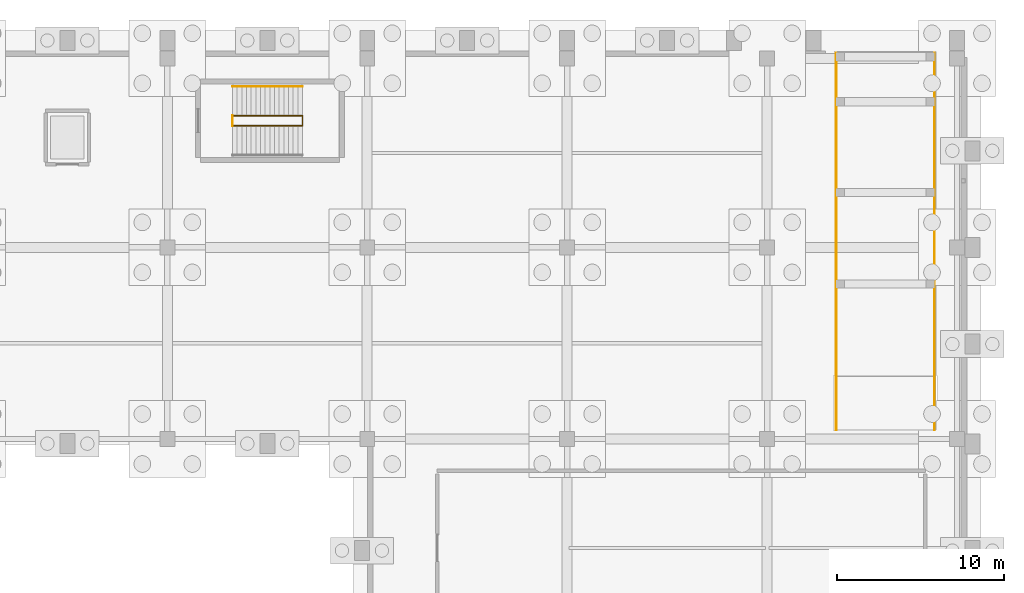
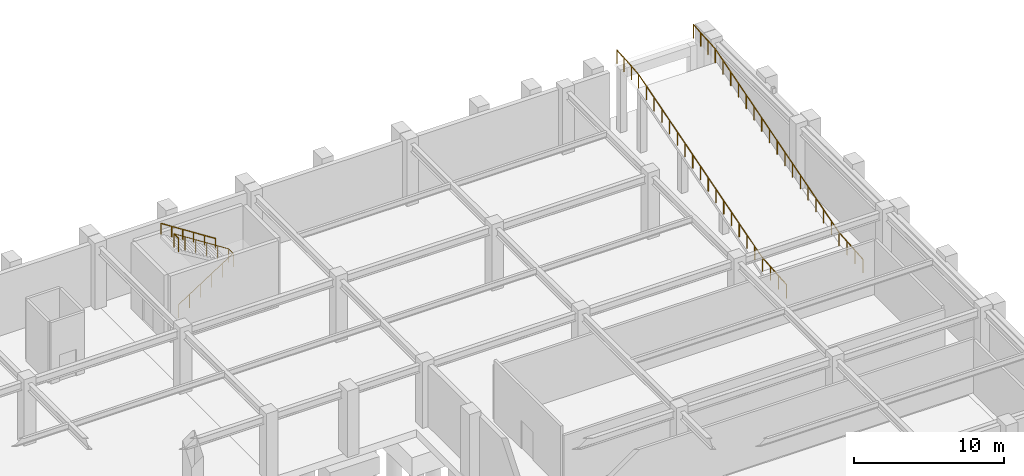
# One storey, part 25 of 27: 5 railings.
"""IFC4 building model written with IfcOpenShell, lengths in metres."""

from ifc_helpers import new_model, si_unit, derived_unit, direction, frame, origin, origin_2d, place, context, subcontext, project, spatial, circle, extrude, material, type_object, element, save


model = new_model("IFC4")

# Units and contexts
model_context = context("Model", 3, precision=1e-05, world=origin(), true_north=direction((0.0, 1.0)))
body_context = subcontext(model_context, "Body", "Model", "MODEL_VIEW")
ifc_project = project(units=[si_unit("LENGTHUNIT", "METRE"), si_unit("AREAUNIT", "SQUARE_METRE"), si_unit("VOLUMEUNIT", "CUBIC_METRE"), si_unit("PLANEANGLEUNIT", "RADIAN"), si_unit("MASSUNIT", "GRAM", prefix="KILO"), derived_unit("THERMALTRANSMITTANCEUNIT", [(si_unit("MASSUNIT", "GRAM", prefix="KILO"), 1), (si_unit("TIMEUNIT", "SECOND"), -3), (si_unit("THERMODYNAMICTEMPERATUREUNIT", "KELVIN"), -1)])], contexts=[model_context])

# Site, building, storey
site_placement = place(None, origin())
site = spatial("IfcSite", under=ifc_project, at=site_placement, CompositionType="ELEMENT")
building_placement = place(site_placement, origin())
building = spatial("IfcBuilding", under=site, at=building_placement, Name="Valcora Ridge Arena", CompositionType="ELEMENT")
storey_placement = place(building_placement, frame((0.0, 0.0, -5.39990234375)))
storey = spatial("IfcBuildingStorey", under=building, at=storey_placement, Name="B1", CompositionType="ELEMENT", Elevation=-5.39990234375)

# Railings
ifc_material = material(Name="Galvanized painted steel ASTM A500 Grade B", Category="steel")
railing_type_1 = type_object("IfcRailingType", Name="TY-RAILING-GRD-RAMP-1120", PredefinedType="GUARDRAIL", material=ifc_material)
railing_1_placement = place(storey_placement, frame((184.14990234375, 109.25, 0.0)))
element("IfcRailing", 1, at=railing_1_placement, inside=storey, type_object=railing_type_1, Name="GRD-RAMP-1120 RAL-RG-0001", PredefinedType="GUARDRAIL", context=body_context, shape_type="SweptSolid", body=[
    extrude(circle(Radius=0.02392578125, at=origin_2d()), frame((0.0, 0.0, 1.09619140625), z_axis=(0.0, 0.996962049061, 0.077888848572), x_axis=(-1.0, 0.0, 0.0)), (0.0, 0.0, 1.0), 3.209716796875),
    extrude(circle(Radius=0.02392578125, at=origin_2d()), frame((0.0, 3.199951171875, 1.34619140625), z_axis=(0.0, 0.958623643931, 0.284676499374), x_axis=(-1.0, 0.0, 0.0)), (0.0, 0.0, 1.0), 17.212158203125),
    extrude(circle(Radius=0.02392578125, at=origin_2d()), frame((0.0, 19.699951171875, 6.24609375), z_axis=(0.0, 0.996305140186, 0.085884035992), x_axis=(-1.0, 0.0, 0.0)), (0.0, 0.0, 1.0), 2.910888671875),
    extrude(circle(Radius=0.02099609375, at=origin_2d()), origin(), (0.0, 0.0, 1.0), 1.072021484375),
    extrude(circle(Radius=0.02099609375, at=origin_2d()), frame((0.0, 1.066650390625, 0.083251953125)), (0.0, 0.0, 1.0), 1.072021484375),
    extrude(circle(Radius=0.02099609375, at=origin_2d()), frame((0.0, 2.13330078125, 0.166748046875)), (0.0, 0.0, 1.0), 1.072021484375),
    extrude(circle(Radius=0.02099609375, at=origin_2d()), frame((0.0, 3.199951171875, 0.25)), (0.0, 0.0, 1.0), 1.072021484375),
    extrude(circle(Radius=0.02099609375, at=origin_2d()), frame((0.0, 4.231201171875, 0.55615234375)), (0.0, 0.0, 1.0), 1.072021484375),
    extrude(circle(Radius=0.02099609375, at=origin_2d()), frame((0.0, 5.262451171875, 0.862548828125)), (0.0, 0.0, 1.0), 1.072021484375),
    extrude(circle(Radius=0.02099609375, at=origin_2d()), frame((0.0, 6.293701171875, 1.168701171875)), (0.0, 0.0, 1.0), 1.072021484375),
    extrude(circle(Radius=0.02099609375, at=origin_2d()), frame((0.0, 7.324951171875, 1.47509765625)), (0.0, 0.0, 1.0), 1.072021484375),
    extrude(circle(Radius=0.02099609375, at=origin_2d()), frame((0.0, 8.356201171875, 1.78125)), (0.0, 0.0, 1.0), 1.072021484375),
    extrude(circle(Radius=0.02099609375, at=origin_2d()), frame((0.0, 9.387451171875, 2.08740234375)), (0.0, 0.0, 1.0), 1.072021484375),
    extrude(circle(Radius=0.02099609375, at=origin_2d()), frame((0.0, 10.418701171875, 2.393798828125)), (0.0, 0.0, 1.0), 1.072021484375),
    extrude(circle(Radius=0.02099609375, at=origin_2d()), frame((0.0, 11.449951171875, 2.699951171875)), (0.0, 0.0, 1.0), 1.072021484375),
    extrude(circle(Radius=0.02099609375, at=origin_2d()), frame((0.0, 12.481201171875, 3.006103515625)), (0.0, 0.0, 1.0), 1.072021484375),
    extrude(circle(Radius=0.02099609375, at=origin_2d()), frame((0.0, 13.512451171875, 3.3125)), (0.0, 0.0, 1.0), 1.072021484375),
    extrude(circle(Radius=0.02099609375, at=origin_2d()), frame((0.0, 14.543701171875, 3.61865234375)), (0.0, 0.0, 1.0), 1.072021484375),
    extrude(circle(Radius=0.02099609375, at=origin_2d()), frame((0.0, 15.574951171875, 3.9248046875)), (0.0, 0.0, 1.0), 1.072021484375),
    extrude(circle(Radius=0.02099609375, at=origin_2d()), frame((0.0, 16.606201171875, 4.231201171875)), (0.0, 0.0, 1.0), 1.072021484375),
    extrude(circle(Radius=0.02099609375, at=origin_2d()), frame((0.0, 17.637451171875, 4.537353515625)), (0.0, 0.0, 1.0), 1.072021484375),
    extrude(circle(Radius=0.02099609375, at=origin_2d()), frame((0.0, 18.668701171875, 4.84375)), (0.0, 0.0, 1.0), 1.072021484375),
    extrude(circle(Radius=0.02099609375, at=origin_2d()), frame((0.0, 19.699951171875, 5.14990234375)), (0.0, 0.0, 1.0), 1.072021484375),
    extrude(circle(Radius=0.02099609375, at=origin_2d()), frame((0.0, 20.666748046875, 5.233154296875)), (0.0, 0.0, 1.0), 1.072021484375),
    extrude(circle(Radius=0.02099609375, at=origin_2d()), frame((0.0, 21.63330078125, 5.316650390625)), (0.0, 0.0, 1.0), 1.072021484375),
    extrude(circle(Radius=0.02099609375, at=origin_2d()), frame((0.0, 22.60009765625, 5.39990234375)), (0.0, 0.0, 1.0), 1.072021484375),
])
railing_2_placement = place(storey_placement, frame((190.050048828125, 109.25, 0.0)))
element("IfcRailing", 2, at=railing_2_placement, inside=storey, type_object=railing_type_1, Name="GRD-RAMP-1120 RAL-RG-0002", PredefinedType="GUARDRAIL", context=body_context, shape_type="SweptSolid", body=[
    extrude(circle(Radius=0.02392578125, at=origin_2d()), frame((0.0, 0.0, 1.09619140625), z_axis=(0.0, 0.996962049061, 0.077888848572), x_axis=(-1.0, 0.0, 0.0)), (0.0, 0.0, 1.0), 3.209716796875),
    extrude(circle(Radius=0.02392578125, at=origin_2d()), frame((0.0, 3.199951171875, 1.34619140625), z_axis=(0.0, 0.958623643931, 0.284676499374), x_axis=(-1.0, 0.0, 0.0)), (0.0, 0.0, 1.0), 17.212158203125),
    extrude(circle(Radius=0.02392578125, at=origin_2d()), frame((0.0, 19.699951171875, 6.24609375), z_axis=(0.0, 0.996305140186, 0.085884035992), x_axis=(-1.0, 0.0, 0.0)), (0.0, 0.0, 1.0), 2.910888671875),
    extrude(circle(Radius=0.02099609375, at=origin_2d()), origin(), (0.0, 0.0, 1.0), 1.072021484375),
    extrude(circle(Radius=0.02099609375, at=origin_2d()), frame((0.0, 1.066650390625, 0.083251953125)), (0.0, 0.0, 1.0), 1.072021484375),
    extrude(circle(Radius=0.02099609375, at=origin_2d()), frame((0.0, 2.13330078125, 0.166748046875)), (0.0, 0.0, 1.0), 1.072021484375),
    extrude(circle(Radius=0.02099609375, at=origin_2d()), frame((0.0, 3.199951171875, 0.25)), (0.0, 0.0, 1.0), 1.072021484375),
    extrude(circle(Radius=0.02099609375, at=origin_2d()), frame((0.0, 4.231201171875, 0.55615234375)), (0.0, 0.0, 1.0), 1.072021484375),
    extrude(circle(Radius=0.02099609375, at=origin_2d()), frame((0.0, 5.262451171875, 0.862548828125)), (0.0, 0.0, 1.0), 1.072021484375),
    extrude(circle(Radius=0.02099609375, at=origin_2d()), frame((0.0, 6.293701171875, 1.168701171875)), (0.0, 0.0, 1.0), 1.072021484375),
    extrude(circle(Radius=0.02099609375, at=origin_2d()), frame((0.0, 7.324951171875, 1.47509765625)), (0.0, 0.0, 1.0), 1.072021484375),
    extrude(circle(Radius=0.02099609375, at=origin_2d()), frame((0.0, 8.356201171875, 1.78125)), (0.0, 0.0, 1.0), 1.072021484375),
    extrude(circle(Radius=0.02099609375, at=origin_2d()), frame((0.0, 9.387451171875, 2.08740234375)), (0.0, 0.0, 1.0), 1.072021484375),
    extrude(circle(Radius=0.02099609375, at=origin_2d()), frame((0.0, 10.418701171875, 2.393798828125)), (0.0, 0.0, 1.0), 1.072021484375),
    extrude(circle(Radius=0.02099609375, at=origin_2d()), frame((0.0, 11.449951171875, 2.699951171875)), (0.0, 0.0, 1.0), 1.072021484375),
    extrude(circle(Radius=0.02099609375, at=origin_2d()), frame((0.0, 12.481201171875, 3.006103515625)), (0.0, 0.0, 1.0), 1.072021484375),
    extrude(circle(Radius=0.02099609375, at=origin_2d()), frame((0.0, 13.512451171875, 3.3125)), (0.0, 0.0, 1.0), 1.072021484375),
    extrude(circle(Radius=0.02099609375, at=origin_2d()), frame((0.0, 14.543701171875, 3.61865234375)), (0.0, 0.0, 1.0), 1.072021484375),
    extrude(circle(Radius=0.02099609375, at=origin_2d()), frame((0.0, 15.574951171875, 3.9248046875)), (0.0, 0.0, 1.0), 1.072021484375),
    extrude(circle(Radius=0.02099609375, at=origin_2d()), frame((0.0, 16.606201171875, 4.231201171875)), (0.0, 0.0, 1.0), 1.072021484375),
    extrude(circle(Radius=0.02099609375, at=origin_2d()), frame((0.0, 17.637451171875, 4.537353515625)), (0.0, 0.0, 1.0), 1.072021484375),
    extrude(circle(Radius=0.02099609375, at=origin_2d()), frame((0.0, 18.668701171875, 4.84375)), (0.0, 0.0, 1.0), 1.072021484375),
    extrude(circle(Radius=0.02099609375, at=origin_2d()), frame((0.0, 19.699951171875, 5.14990234375)), (0.0, 0.0, 1.0), 1.072021484375),
    extrude(circle(Radius=0.02099609375, at=origin_2d()), frame((0.0, 20.666748046875, 5.233154296875)), (0.0, 0.0, 1.0), 1.072021484375),
    extrude(circle(Radius=0.02099609375, at=origin_2d()), frame((0.0, 21.63330078125, 5.316650390625)), (0.0, 0.0, 1.0), 1.072021484375),
    extrude(circle(Radius=0.02099609375, at=origin_2d()), frame((0.0, 22.60009765625, 5.39990234375)), (0.0, 0.0, 1.0), 1.072021484375),
])
railing_type_2 = type_object("IfcRailingType", Name="TY-RAILING-GRD-STAIR-1120", PredefinedType="GUARDRAIL", material=ifc_material)
railing_3_placement = place(storey_placement, frame((147.909912109375, 127.5, 0.0)))
element("IfcRailing", 3, at=railing_3_placement, inside=storey, type_object=railing_type_2, Name="GRD-STAIR-1120 RAL-SG-0081", PredefinedType="GUARDRAIL", context=body_context, shape_type="SweptSolid", body=[
    extrude(circle(Radius=0.02392578125, at=origin_2d()), frame((0.0, 0.0, 1.09619140625), z_axis=(0.841194361566, 0.0, 0.540732878665), x_axis=(0.0, 1.0, 0.0)), (0.0, 0.0, 1.0), 4.9931640625),
    extrude(circle(Radius=0.02392578125, at=origin_2d()), frame((4.2001953125, 0.0, 3.7958984375), z_axis=(0.0, 1.0, 0.0), x_axis=(-1.0, 0.0, 0.0)), (0.0, 0.0, 1.0), 0.60009765625),
    extrude(circle(Radius=0.02392578125, at=origin_2d()), frame((4.2001953125, 0.60009765625, 3.7958984375), z_axis=(-0.841194361566, 0.0, 0.540732878665), x_axis=(0.0, -1.0, 0.0)), (0.0, 0.0, 1.0), 4.9931640625),
    extrude(circle(Radius=0.02099609375, at=origin_2d()), origin(), (0.0, 0.0, 1.0), 1.072021484375),
    extrude(circle(Radius=0.02099609375, at=origin_2d()), frame((0.840087890625, 0.0, 0.5400390625)), (0.0, 0.0, 1.0), 1.072021484375),
    extrude(circle(Radius=0.02099609375, at=origin_2d()), frame((1.68017578125, 0.0, 1.080078125)), (0.0, 0.0, 1.0), 1.072021484375),
    extrude(circle(Radius=0.02099609375, at=origin_2d()), frame((2.52001953125, 0.0, 1.619873046875)), (0.0, 0.0, 1.0), 1.072021484375),
    extrude(circle(Radius=0.02099609375, at=origin_2d()), frame((3.360107421875, 0.0, 2.159912109375)), (0.0, 0.0, 1.0), 1.072021484375),
    extrude(circle(Radius=0.02099609375, at=origin_2d()), frame((4.2001953125, 0.0, 2.699951171875)), (0.0, 0.0, 1.0), 1.072021484375),
    extrude(circle(Radius=0.02099609375, at=origin_2d()), frame((4.2001953125, 0.60009765625, 2.699951171875)), (0.0, 0.0, 1.0), 1.072021484375),
    extrude(circle(Radius=0.02099609375, at=origin_2d()), frame((3.360107421875, 0.60009765625, 3.239990234375)), (0.0, 0.0, 1.0), 1.072021484375),
    extrude(circle(Radius=0.02099609375, at=origin_2d()), frame((2.52001953125, 0.60009765625, 3.780029296875)), (0.0, 0.0, 1.0), 1.072021484375),
    extrude(circle(Radius=0.02099609375, at=origin_2d()), frame((1.68017578125, 0.60009765625, 4.31982421875)), (0.0, 0.0, 1.0), 1.072021484375),
    extrude(circle(Radius=0.02099609375, at=origin_2d()), frame((0.840087890625, 0.60009765625, 4.85986328125)), (0.0, 0.0, 1.0), 1.072021484375),
    extrude(circle(Radius=0.02099609375, at=origin_2d()), frame((0.0, 0.60009765625, 5.39990234375)), (0.0, 0.0, 1.0), 1.072021484375),
])
railing_4_placement = place(storey_placement, frame((147.909912109375, 127.5, 5.39990234375)))
element("IfcRailing", 4, at=railing_4_placement, inside=storey, type_object=railing_type_2, Name="GRD-STAIR-1120 RAL-SG-0082", PredefinedType="GUARDRAIL", context=body_context, shape_type="SweptSolid", body=[
    extrude(circle(Radius=0.02392578125, at=origin_2d()), frame((0.0, 0.0, 1.09619140625), z_axis=(0.0, 1.0, 0.0), x_axis=(-1.0, 0.0, 0.0)), (0.0, 0.0, 1.0), 0.60009765625),
    extrude(circle(Radius=0.02099609375, at=origin_2d()), origin(), (0.0, 0.0, 1.0), 1.072021484375),
    extrude(circle(Radius=0.02099609375, at=origin_2d()), frame((0.0, 0.60009765625, 0.0)), (0.0, 0.0, 1.0), 1.072021484375),
])
railing_type_3 = type_object("IfcRailingType", Name="TY-RAILING-HR-STAIR-900", PredefinedType="HANDRAIL", material=ifc_material)
railing_5_placement = place(storey_placement, frame((152.110107421875, 129.860107421875, 2.699951171875)))
element("IfcRailing", 5, at=railing_5_placement, inside=storey, type_object=railing_type_3, Name="HR-STAIR-900 RAL-SH-0082", PredefinedType="HANDRAIL", context=body_context, shape_type="SweptSolid", body=[
    extrude(circle(Radius=0.02392578125, at=origin_2d()), frame((0.0, 0.0, 0.8759765625), z_axis=(-0.841194361566, 0.0, 0.540732878665), x_axis=(0.0, -1.0, 0.0)), (0.0, 0.0, 1.0), 4.9931640625),
    extrude(circle(Radius=0.02099609375, at=origin_2d()), origin(), (0.0, 0.0, 1.0), 0.851806640625),
    extrude(circle(Radius=0.02099609375, at=origin_2d()), frame((-0.840087890625, 0.0, 0.5400390625)), (0.0, 0.0, 1.0), 0.851806640625),
    extrude(circle(Radius=0.02099609375, at=origin_2d()), frame((-1.68017578125, 0.0, 1.080078125)), (0.0, 0.0, 1.0), 0.851806640625),
    extrude(circle(Radius=0.02099609375, at=origin_2d()), frame((-2.52001953125, 0.0, 1.619873046875)), (0.0, 0.0, 1.0), 0.851806640625),
    extrude(circle(Radius=0.02099609375, at=origin_2d()), frame((-3.360107421875, 0.0, 2.159912109375)), (0.0, 0.0, 1.0), 0.851806640625),
    extrude(circle(Radius=0.02099609375, at=origin_2d()), frame((-4.2001953125, 0.0, 2.699951171875)), (0.0, 0.0, 1.0), 0.851806640625),
])

save(model, "model.ifc")
